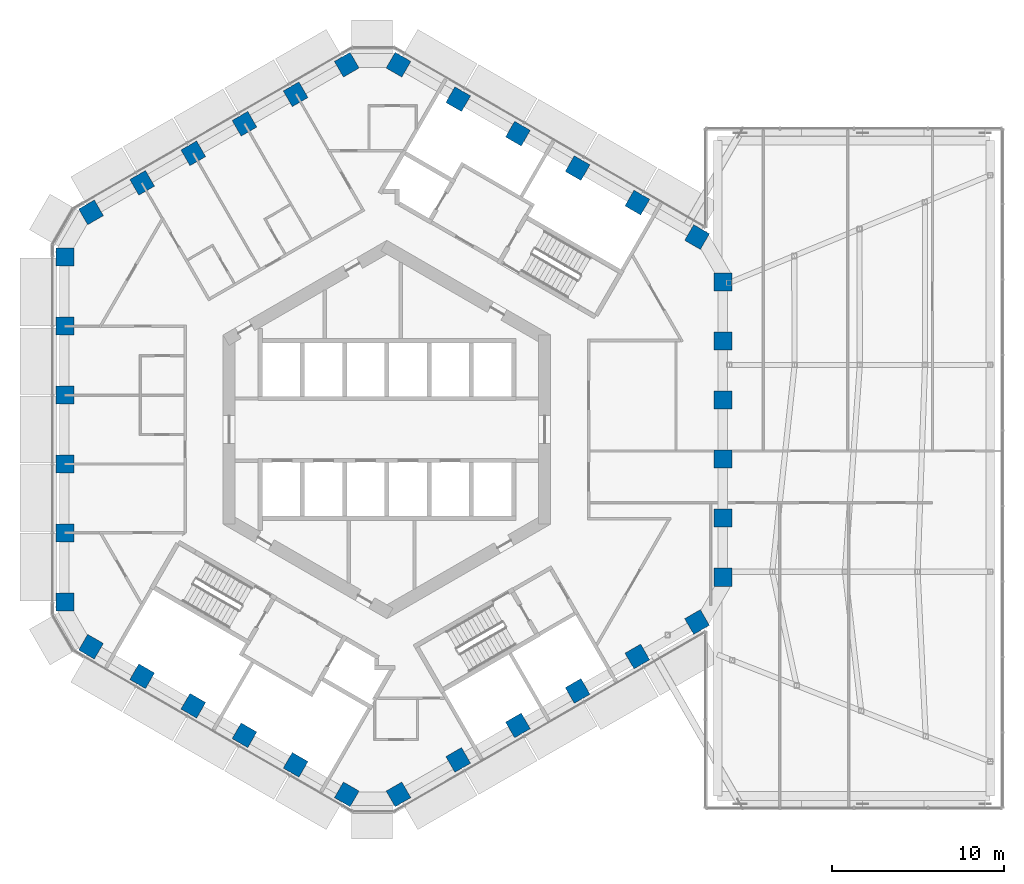
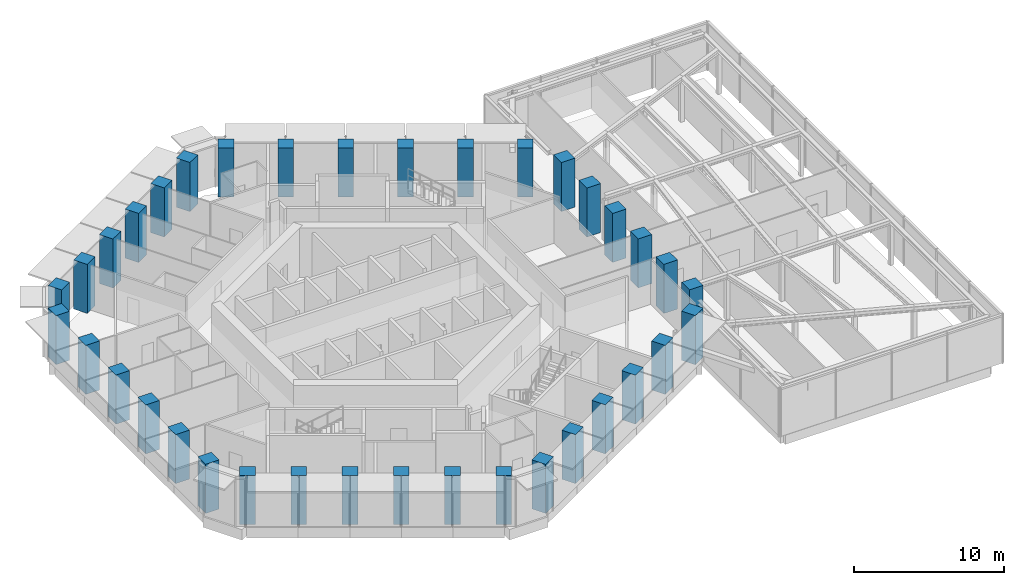
# One storey, part 1 of 24: 36 columns.
"""IFC4 building model written with IfcOpenShell, lengths in metres."""

from ifc_helpers import new_model, si_unit, direction, frame, origin, origin_2d, place, context, subcontext, project, spatial, rectangle, extrude, material, material_profile, profile_set, type_object, element, save


model = new_model("IFC4")

# Units and contexts
model_context = context("Model", 3, precision=1e-05, world=origin(), true_north=direction((0.0, 1.0)))
body_context = subcontext(model_context, "Body", "Model", "MODEL_VIEW")
ifc_project = project(units=[si_unit("LENGTHUNIT", "METRE"), si_unit("AREAUNIT", "SQUARE_METRE"), si_unit("VOLUMEUNIT", "CUBIC_METRE"), si_unit("PLANEANGLEUNIT", "RADIAN"), si_unit("MASSUNIT", "GRAM", prefix="KILO")], contexts=[model_context])

# Site, building, storey
site_placement = place(None, origin())
site = spatial("IfcSite", under=ifc_project, at=site_placement, CompositionType="ELEMENT")
building_placement = place(site_placement, origin())
building = spatial("IfcBuilding", under=site, at=building_placement, Name="Ayvan Gate Tower", CompositionType="ELEMENT")
storey_placement = place(building_placement, frame((0.0, 0.0, 128.5)))
storey = spatial("IfcBuildingStorey", under=building, at=storey_placement, Name="L34", CompositionType="ELEMENT", Elevation=128.5)

# Columns
ifc_material = material(Name="Concrete C60/75", Category="concrete")
ifc_material_profile = material_profile(ifc_material, rectangle(XDim=1.050048828125, YDim=1.050048828125, at=origin_2d()), Name="RC 1050x1050")
ifc_profile_set = profile_set([ifc_material_profile], Name="Concrete C60/75")
column_type = type_object("IfcColumnType", Name="Tube column RC 1050x1050 C60/75", PredefinedType="COLUMN", material=ifc_profile_set)
for number, where, z_axis, x_axis, name in (
    (1, (19.485595703125, -8.5625, 0.0), (0.0, 0.0, 1.0), (1.0, 0.0, 0.0), "C-T0-0-L34"),
    (2, (19.485595703125, -5.137451171875, 0.0), (0.0, 0.0, 1.0), (1.0, 0.0, 0.0), "C-T0-1-L34"),
    (3, (19.485595703125, -1.71240234375, 0.0), (0.0, 0.0, 1.0), (1.0, 0.0, 0.0), "C-T0-2-L34"),
    (4, (19.485595703125, 1.71240234375, 0.0), (0.0, 0.0, 1.0), (1.0, 0.0, 0.0), "C-T0-3-L34"),
    (5, (19.485595703125, 5.137451171875, 0.0), (0.0, 0.0, 1.0), (1.0, 0.0, 0.0), "C-T0-4-L34"),
    (6, (19.485595703125, 8.5625, 0.0), (0.0, 0.0, 1.0), (1.0, 0.0, 0.0), "C-T0-5-L34"),
    (7, (17.985595703125, 11.16064453125, 0.0), (0.0, 0.0, 1.0), (0.5, 0.866025403784, 0.0), "C-T1-0-L34"),
    (8, (14.52294921875, 13.15966796875, 0.0), (0.0, 0.0, 1.0), (0.5, 0.866025403784, 0.0), "C-T1-1-L34"),
    (9, (11.060302734375, 15.158935546875, 0.0), (0.0, 0.0, 1.0), (0.5, 0.866025403784, 0.0), "C-T1-2-L34"),
    (10, (7.597900390625, 17.157958984375, 0.0), (0.0, 0.0, 1.0), (0.5, 0.866025403784, 0.0), "C-T1-3-L34"),
    (11, (4.13525390625, 19.1572265625, 0.0), (0.0, 0.0, 1.0), (0.5, 0.866025403784, 0.0), "C-T1-4-L34"),
    (12, (0.672607421875, 21.15625, 0.0), (0.0, 0.0, 1.0), (0.5, 0.866025403784, 0.0), "C-T1-5-L34"),
    (13, (-2.327392578125, 21.15625, 0.0), (0.0, 0.0, 1.0), (-0.5, 0.866025403784, 0.0), "C-T2-0-L34"),
    (14, (-5.29345703125, 19.44384765625, 0.0), (0.0, 0.0, 1.0), (-0.5, 0.866025403784, 0.0), "C-T2-1-L34"),
    (15, (-8.259765625, 17.731201171875, 0.0), (0.0, 0.0, 1.0), (-0.5, 0.866025403784, 0.0), "C-T2-2-L34"),
    (16, (-11.225830078125, 16.018798828125, 0.0), (0.0, 0.0, 1.0), (-0.5, 0.866025403784, 0.0), "C-T2-3-L34"),
    (17, (-14.192138671875, 14.30615234375, 0.0), (0.0, 0.0, 1.0), (-0.5, 0.866025403784, 0.0), "C-T2-4-L34"),
    (18, (-17.158203125, 12.59375, 0.0), (0.0, 0.0, 1.0), (-0.5, 0.866025403784, 0.0), "C-T2-5-L34"),
    (19, (-18.658203125, 9.99560546875, 0.0), (0.0, 0.0, 1.0), (-1.0, 0.0, 0.0), "C-T3-0-L34"),
    (20, (-18.658203125, 5.997314453125, 0.0), (0.0, 0.0, 1.0), (-1.0, 0.0, 0.0), "C-T3-1-L34"),
    (21, (-18.658203125, 1.9990234375, 0.0), (0.0, 0.0, 1.0), (-1.0, 0.0, 0.0), "C-T3-2-L34"),
    (22, (-18.658203125, -1.9990234375, 0.0), (0.0, 0.0, 1.0), (-1.0, 0.0, 0.0), "C-T3-3-L34"),
    (23, (-18.658203125, -5.997314453125, 0.0), (0.0, 0.0, 1.0), (-1.0, 0.0, 0.0), "C-T3-4-L34"),
    (24, (-18.658203125, -9.99560546875, 0.0), (0.0, 0.0, 1.0), (-1.0, 0.0, 0.0), "C-T3-5-L34"),
    (25, (-17.158203125, -12.59375, 0.0), (0.0, 0.0, 1.0), (-0.5, -0.866025403784, 0.0), "C-T4-0-L34"),
    (26, (-14.192138671875, -14.30615234375, 0.0), (0.0, 0.0, 1.0), (-0.5, -0.866025403784, 0.0), "C-T4-1-L34"),
    (27, (-11.225830078125, -16.018798828125, 0.0), (0.0, 0.0, 1.0), (-0.5, -0.866025403784, 0.0), "C-T4-2-L34"),
    (28, (-8.259765625, -17.731201171875, 0.0), (0.0, 0.0, 1.0), (-0.5, -0.866025403784, 0.0), "C-T4-3-L34"),
    (29, (-5.29345703125, -19.44384765625, 0.0), (0.0, 0.0, 1.0), (-0.5, -0.866025403784, 0.0), "C-T4-4-L34"),
    (30, (-2.327392578125, -21.15625, 0.0), (0.0, 0.0, 1.0), (-0.5, -0.866025403784, 0.0), "C-T4-5-L34"),
    (31, (0.672607421875, -21.15625, 0.0), (0.0, 0.0, 1.0), (0.5, -0.866025403784, 0.0), "C-T5-0-L34"),
    (32, (4.13525390625, -19.1572265625, 0.0), (0.0, 0.0, 1.0), (0.5, -0.866025403784, 0.0), "C-T5-1-L34"),
    (33, (7.597900390625, -17.157958984375, 0.0), (0.0, 0.0, 1.0), (0.5, -0.866025403784, 0.0), "C-T5-2-L34"),
    (34, (11.060302734375, -15.158935546875, 0.0), (0.0, 0.0, 1.0), (0.5, -0.866025403784, 0.0), "C-T5-3-L34"),
    (35, (14.52294921875, -13.15966796875, 0.0), (0.0, 0.0, 1.0), (0.5, -0.866025403784, 0.0), "C-T5-4-L34"),
    (36, (17.985595703125, -11.16064453125, 0.0), (0.0, 0.0, 1.0), (0.5, -0.866025403784, 0.0), "C-T5-5-L34"),
):
    element("IfcColumn", number, at=place(storey_placement, frame(where, z_axis=z_axis, x_axis=x_axis)), inside=storey, type_object=column_type, Name=name, PredefinedType="COLUMN", context=body_context, shape_type="SweptSolid", body=[
        extrude(rectangle(XDim=1.050048828125, YDim=1.050048828125, at=origin_2d()), origin(), (0.0, 0.0, 1.0), 4.0),
    ])

save(model, "model.ifc")
